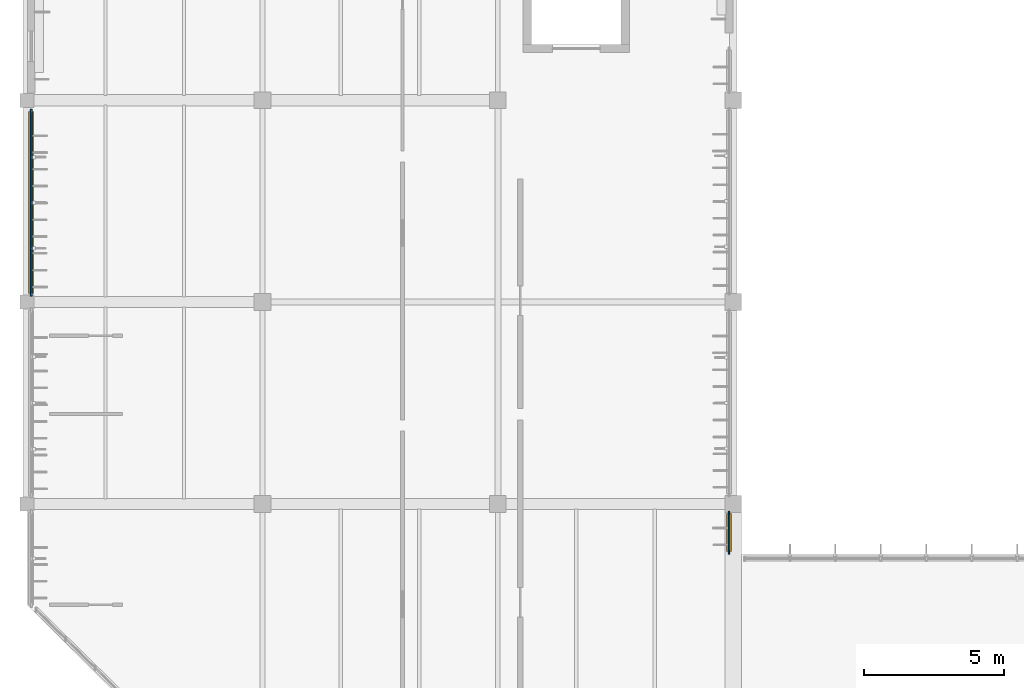
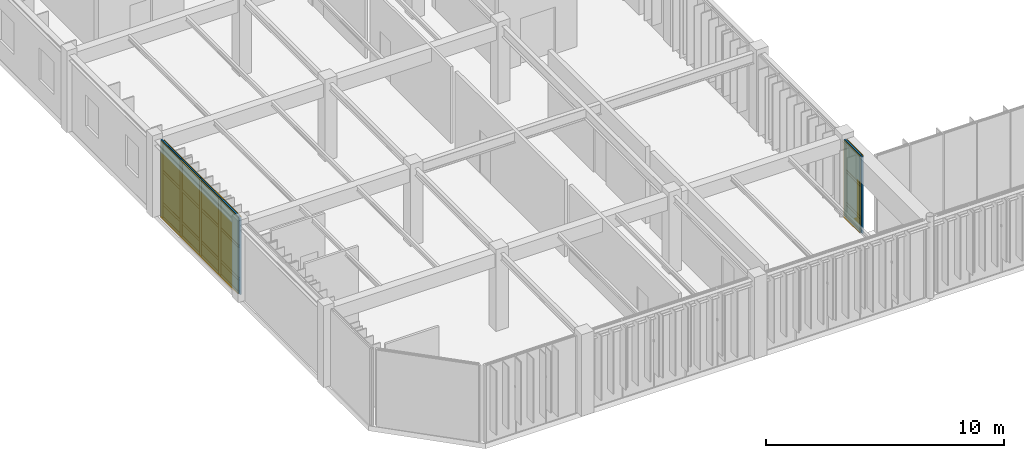
# One storey, part 71 of 122: 27 members, 15 plates, 2 curtain walls.
"""IFC4 building model written with IfcOpenShell, lengths in metres."""

from ifc_helpers import new_model, si_unit, direction, frame, frame_2d, origin, origin_2d, place, context, subcontext, project, spatial, rectangle, extrude, material, layer, layer_set, material_profile, profile_set, type_object, element, aggregate, save


model = new_model("IFC4")

# Units and contexts
model_context = context("Model", 3, precision=1e-05, world=origin(), true_north=direction((0.0, 1.0)))
body_context = subcontext(model_context, "Body", "Model", "MODEL_VIEW")
ifc_project = project(units=[si_unit("LENGTHUNIT", "METRE"), si_unit("AREAUNIT", "SQUARE_METRE"), si_unit("VOLUMEUNIT", "CUBIC_METRE"), si_unit("PLANEANGLEUNIT", "RADIAN"), si_unit("MASSUNIT", "GRAM", prefix="KILO")], contexts=[model_context])

# Member
ifc_material_1 = material(Name="Anodised Bronze Aluminium 6063-T6", Category="aluminium")
ifc_material_profile_1 = material_profile(ifc_material_1, rectangle(XDim=0.06005859375, YDim=0.179931640625, at=origin_2d()), Name="ALU MULLION 60x180")
ifc_profile_set_1 = profile_set([ifc_material_profile_1], Name="Anodised Bronze Aluminium 6063-T6")
member_type_1 = type_object("IfcMemberType", Name="Curtain-Wall Primary Mullion 60x180", PredefinedType="MULLION", material=ifc_profile_set_1)
site_placement = place(None, origin())
building_placement = place(site_placement, origin())
storey_placement = place(building_placement, frame((0.0, 0.0, 4.800048828125)))
member_1_placement = place(storey_placement, frame((2.550048828125, 59.300048828125, 0.0), z_axis=(0.0, 0.0, 1.0), x_axis=(1.0, 0.0, 0.0)))
member_1 = element("IfcMember", 1, at=member_1_placement, type_object=member_type_1, Name="Mullion CWM-01 CW-V6-W1-L01-B3-M01", PredefinedType="MULLION", context=body_context, shape_type="SweptSolid", body=[
    extrude(rectangle(XDim=0.06005859375, YDim=0.179931640625, at=origin_2d()), origin(), (0.0, 0.0, 1.0), 3.93994140625),
])

member_2_placement = place(storey_placement, frame((2.550048828125, 60.925048828125, 0.0), z_axis=(0.0, 0.0, 1.0), x_axis=(1.0, 0.0, 0.0)))
member_2 = element("IfcMember", 2, at=member_2_placement, type_object=member_type_1, Name="Mullion CWM-01 CW-V6-W1-L01-B3-M02", PredefinedType="MULLION", context=body_context, shape_type="SweptSolid", body=[
    extrude(rectangle(XDim=0.06005859375, YDim=0.179931640625, at=origin_2d()), origin(), (0.0, 0.0, 1.0), 3.93994140625),
])

member_3_placement = place(storey_placement, frame((2.550048828125, 62.550048828125, 0.0), z_axis=(0.0, 0.0, 1.0), x_axis=(1.0, 0.0, 0.0)))
member_3 = element("IfcMember", 3, at=member_3_placement, type_object=member_type_1, Name="Mullion CWM-01 CW-V6-W1-L01-B3-M03", PredefinedType="MULLION", context=body_context, shape_type="SweptSolid", body=[
    extrude(rectangle(XDim=0.06005859375, YDim=0.179931640625, at=origin_2d()), origin(), (0.0, 0.0, 1.0), 3.93994140625),
])

member_4_placement = place(storey_placement, frame((2.550048828125, 64.175048828125, 0.0), z_axis=(0.0, 0.0, 1.0), x_axis=(1.0, 0.0, 0.0)))
member_4 = element("IfcMember", 4, at=member_4_placement, type_object=member_type_1, Name="Mullion CWM-01 CW-V6-W1-L01-B3-M04", PredefinedType="MULLION", context=body_context, shape_type="SweptSolid", body=[
    extrude(rectangle(XDim=0.06005859375, YDim=0.179931640625, at=origin_2d()), origin(), (0.0, 0.0, 1.0), 3.93994140625),
])

member_5_placement = place(storey_placement, frame((2.550048828125, 65.800048828125, 0.0), z_axis=(0.0, 0.0, 1.0), x_axis=(1.0, 0.0, 0.0)))
member_5 = element("IfcMember", 5, at=member_5_placement, type_object=member_type_1, Name="Mullion CWM-01 CW-V6-W1-L01-B3-M05", PredefinedType="MULLION", context=body_context, shape_type="SweptSolid", body=[
    extrude(rectangle(XDim=0.06005859375, YDim=0.179931640625, at=origin_2d()), origin(), (0.0, 0.0, 1.0), 3.93994140625),
])

member_6_placement = place(storey_placement, frame((27.449951171875, 50.10009765625, 0.0), z_axis=(0.0, 0.0, 1.0), x_axis=(1.0, 0.0, 0.0)))
member_6 = element("IfcMember", 6, at=member_6_placement, type_object=member_type_1, Name="Mullion CWM-01 CW-V6-E1-L01-B1-M01", PredefinedType="MULLION", context=body_context, shape_type="SweptSolid", body=[
    extrude(rectangle(XDim=0.06005859375, YDim=0.179931640625, at=origin_2d()), origin(), (0.0, 0.0, 1.0), 3.93994140625),
])

member_7_placement = place(storey_placement, frame((27.449951171875, 51.449951171875, 0.0), z_axis=(0.0, 0.0, 1.0), x_axis=(1.0, 0.0, 0.0)))
member_7 = element("IfcMember", 7, at=member_7_placement, type_object=member_type_1, Name="Mullion CWM-01 CW-V6-E1-L01-B1-M02", PredefinedType="MULLION", context=body_context, shape_type="SweptSolid", body=[
    extrude(rectangle(XDim=0.06005859375, YDim=0.179931640625, at=origin_2d()), origin(), (0.0, 0.0, 1.0), 3.93994140625),
])

ifc_material_profile_2 = material_profile(ifc_material_1, rectangle(XDim=0.06005859375, YDim=0.139892578125, at=origin_2d()), Name="ALU TRANSOM 60x140")
ifc_profile_set_2 = profile_set([ifc_material_profile_2], Name="Anodised Bronze Aluminium 6063-T6")
member_type_2 = type_object("IfcMemberType", Name="Curtain-Wall Transom 60x140", PredefinedType="USERDEFINED", material=ifc_profile_set_2)
member_8_placement = place(storey_placement, frame((2.550048828125, 59.3349609375, 0.0400390625), z_axis=(0.0, 1.0, 0.0), x_axis=(-1.0, 0.0, 0.0)))
member_8 = element("IfcMember", 8, at=member_8_placement, type_object=member_type_2, Name="Transom CWT-01 CW-V6-W1-L01-B3-T01.1", ObjectType="TRANSOM", PredefinedType="USERDEFINED", context=body_context, shape_type="SweptSolid", body=[
    extrude(rectangle(XDim=0.06005859375, YDim=0.139892578125, at=origin_2d()), origin(), (0.0, 0.0, 1.0), 1.554931640625),
])

member_9_placement = place(storey_placement, frame((2.550048828125, 59.3349609375, 0.75), z_axis=(0.0, 1.0, 0.0), x_axis=(-1.0, 0.0, 0.0)))
member_9 = element("IfcMember", 9, at=member_9_placement, type_object=member_type_2, Name="Transom CWT-01 CW-V6-W1-L01-B3-T01.2", ObjectType="TRANSOM", PredefinedType="USERDEFINED", context=body_context, shape_type="SweptSolid", body=[
    extrude(rectangle(XDim=0.06005859375, YDim=0.139892578125, at=origin_2d()), origin(), (0.0, 0.0, 1.0), 1.554931640625),
])

member_10_placement = place(storey_placement, frame((2.550048828125, 59.3349609375, 2.40869140625), z_axis=(0.0, 1.0, 0.0), x_axis=(-1.0, 0.0, 0.0)))
member_10 = element("IfcMember", 10, at=member_10_placement, type_object=member_type_2, Name="Transom CWT-01 CW-V6-W1-L01-B3-T01.3", ObjectType="TRANSOM", PredefinedType="USERDEFINED", context=body_context, shape_type="SweptSolid", body=[
    extrude(rectangle(XDim=0.06005859375, YDim=0.139892578125, at=origin_2d()), origin(), (0.0, 0.0, 1.0), 1.554931640625),
])

member_11_placement = place(storey_placement, frame((2.550048828125, 59.3349609375, 3.89990234375), z_axis=(0.0, 1.0, 0.0), x_axis=(-1.0, 0.0, 0.0)))
member_11 = element("IfcMember", 11, at=member_11_placement, type_object=member_type_2, Name="Transom CWT-01 CW-V6-W1-L01-B3-T01.4", ObjectType="TRANSOM", PredefinedType="USERDEFINED", context=body_context, shape_type="SweptSolid", body=[
    extrude(rectangle(XDim=0.06005859375, YDim=0.139892578125, at=origin_2d()), origin(), (0.0, 0.0, 1.0), 1.554931640625),
])

member_12_placement = place(storey_placement, frame((2.550048828125, 60.9599609375, 0.0400390625), z_axis=(0.0, 1.0, 0.0), x_axis=(-1.0, 0.0, 0.0)))
member_12 = element("IfcMember", 12, at=member_12_placement, type_object=member_type_2, Name="Transom CWT-01 CW-V6-W1-L01-B3-T02.1", ObjectType="TRANSOM", PredefinedType="USERDEFINED", context=body_context, shape_type="SweptSolid", body=[
    extrude(rectangle(XDim=0.06005859375, YDim=0.139892578125, at=origin_2d()), origin(), (0.0, 0.0, 1.0), 1.554931640625),
])

member_13_placement = place(storey_placement, frame((2.550048828125, 60.9599609375, 0.75), z_axis=(0.0, 1.0, 0.0), x_axis=(-1.0, 0.0, 0.0)))
member_13 = element("IfcMember", 13, at=member_13_placement, type_object=member_type_2, Name="Transom CWT-01 CW-V6-W1-L01-B3-T02.2", ObjectType="TRANSOM", PredefinedType="USERDEFINED", context=body_context, shape_type="SweptSolid", body=[
    extrude(rectangle(XDim=0.06005859375, YDim=0.139892578125, at=origin_2d()), origin(), (0.0, 0.0, 1.0), 1.554931640625),
])

member_14_placement = place(storey_placement, frame((2.550048828125, 60.9599609375, 2.40869140625), z_axis=(0.0, 1.0, 0.0), x_axis=(-1.0, 0.0, 0.0)))
member_14 = element("IfcMember", 14, at=member_14_placement, type_object=member_type_2, Name="Transom CWT-01 CW-V6-W1-L01-B3-T02.3", ObjectType="TRANSOM", PredefinedType="USERDEFINED", context=body_context, shape_type="SweptSolid", body=[
    extrude(rectangle(XDim=0.06005859375, YDim=0.139892578125, at=origin_2d()), origin(), (0.0, 0.0, 1.0), 1.554931640625),
])

member_15_placement = place(storey_placement, frame((2.550048828125, 60.9599609375, 3.89990234375), z_axis=(0.0, 1.0, 0.0), x_axis=(-1.0, 0.0, 0.0)))
member_15 = element("IfcMember", 15, at=member_15_placement, type_object=member_type_2, Name="Transom CWT-01 CW-V6-W1-L01-B3-T02.4", ObjectType="TRANSOM", PredefinedType="USERDEFINED", context=body_context, shape_type="SweptSolid", body=[
    extrude(rectangle(XDim=0.06005859375, YDim=0.139892578125, at=origin_2d()), origin(), (0.0, 0.0, 1.0), 1.554931640625),
])

member_16_placement = place(storey_placement, frame((2.550048828125, 62.5849609375, 0.0400390625), z_axis=(0.0, 1.0, 0.0), x_axis=(-1.0, 0.0, 0.0)))
member_16 = element("IfcMember", 16, at=member_16_placement, type_object=member_type_2, Name="Transom CWT-01 CW-V6-W1-L01-B3-T03.1", ObjectType="TRANSOM", PredefinedType="USERDEFINED", context=body_context, shape_type="SweptSolid", body=[
    extrude(rectangle(XDim=0.06005859375, YDim=0.139892578125, at=origin_2d()), origin(), (0.0, 0.0, 1.0), 1.554931640625),
])

member_17_placement = place(storey_placement, frame((2.550048828125, 62.5849609375, 0.75), z_axis=(0.0, 1.0, 0.0), x_axis=(-1.0, 0.0, 0.0)))
member_17 = element("IfcMember", 17, at=member_17_placement, type_object=member_type_2, Name="Transom CWT-01 CW-V6-W1-L01-B3-T03.2", ObjectType="TRANSOM", PredefinedType="USERDEFINED", context=body_context, shape_type="SweptSolid", body=[
    extrude(rectangle(XDim=0.06005859375, YDim=0.139892578125, at=origin_2d()), origin(), (0.0, 0.0, 1.0), 1.554931640625),
])

member_18_placement = place(storey_placement, frame((2.550048828125, 62.5849609375, 2.40869140625), z_axis=(0.0, 1.0, 0.0), x_axis=(-1.0, 0.0, 0.0)))
member_18 = element("IfcMember", 18, at=member_18_placement, type_object=member_type_2, Name="Transom CWT-01 CW-V6-W1-L01-B3-T03.3", ObjectType="TRANSOM", PredefinedType="USERDEFINED", context=body_context, shape_type="SweptSolid", body=[
    extrude(rectangle(XDim=0.06005859375, YDim=0.139892578125, at=origin_2d()), origin(), (0.0, 0.0, 1.0), 1.554931640625),
])

member_19_placement = place(storey_placement, frame((2.550048828125, 62.5849609375, 3.89990234375), z_axis=(0.0, 1.0, 0.0), x_axis=(-1.0, 0.0, 0.0)))
member_19 = element("IfcMember", 19, at=member_19_placement, type_object=member_type_2, Name="Transom CWT-01 CW-V6-W1-L01-B3-T03.4", ObjectType="TRANSOM", PredefinedType="USERDEFINED", context=body_context, shape_type="SweptSolid", body=[
    extrude(rectangle(XDim=0.06005859375, YDim=0.139892578125, at=origin_2d()), origin(), (0.0, 0.0, 1.0), 1.554931640625),
])

member_20_placement = place(storey_placement, frame((2.550048828125, 64.2099609375, 0.0400390625), z_axis=(0.0, 1.0, 0.0), x_axis=(-1.0, 0.0, 0.0)))
member_20 = element("IfcMember", 20, at=member_20_placement, type_object=member_type_2, Name="Transom CWT-01 CW-V6-W1-L01-B3-T04.1", ObjectType="TRANSOM", PredefinedType="USERDEFINED", context=body_context, shape_type="SweptSolid", body=[
    extrude(rectangle(XDim=0.06005859375, YDim=0.139892578125, at=origin_2d()), origin(), (0.0, 0.0, 1.0), 1.554931640625),
])

member_21_placement = place(storey_placement, frame((2.550048828125, 64.2099609375, 0.75), z_axis=(0.0, 1.0, 0.0), x_axis=(-1.0, 0.0, 0.0)))
member_21 = element("IfcMember", 21, at=member_21_placement, type_object=member_type_2, Name="Transom CWT-01 CW-V6-W1-L01-B3-T04.2", ObjectType="TRANSOM", PredefinedType="USERDEFINED", context=body_context, shape_type="SweptSolid", body=[
    extrude(rectangle(XDim=0.06005859375, YDim=0.139892578125, at=origin_2d()), origin(), (0.0, 0.0, 1.0), 1.554931640625),
])

member_22_placement = place(storey_placement, frame((2.550048828125, 64.2099609375, 2.40869140625), z_axis=(0.0, 1.0, 0.0), x_axis=(-1.0, 0.0, 0.0)))
member_22 = element("IfcMember", 22, at=member_22_placement, type_object=member_type_2, Name="Transom CWT-01 CW-V6-W1-L01-B3-T04.3", ObjectType="TRANSOM", PredefinedType="USERDEFINED", context=body_context, shape_type="SweptSolid", body=[
    extrude(rectangle(XDim=0.06005859375, YDim=0.139892578125, at=origin_2d()), origin(), (0.0, 0.0, 1.0), 1.554931640625),
])

member_23_placement = place(storey_placement, frame((2.550048828125, 64.2099609375, 3.89990234375), z_axis=(0.0, 1.0, 0.0), x_axis=(-1.0, 0.0, 0.0)))
member_23 = element("IfcMember", 23, at=member_23_placement, type_object=member_type_2, Name="Transom CWT-01 CW-V6-W1-L01-B3-T04.4", ObjectType="TRANSOM", PredefinedType="USERDEFINED", context=body_context, shape_type="SweptSolid", body=[
    extrude(rectangle(XDim=0.06005859375, YDim=0.139892578125, at=origin_2d()), origin(), (0.0, 0.0, 1.0), 1.554931640625),
])

member_24_placement = place(storey_placement, frame((27.449951171875, 50.135009765625, 0.0400390625), z_axis=(0.0, 1.0, 0.0), x_axis=(-1.0, 0.0, 0.0)))
member_24 = element("IfcMember", 24, at=member_24_placement, type_object=member_type_2, Name="Transom CWT-01 CW-V6-E1-L01-B1-T01.1", ObjectType="TRANSOM", PredefinedType="USERDEFINED", context=body_context, shape_type="SweptSolid", body=[
    extrude(rectangle(XDim=0.06005859375, YDim=0.139892578125, at=origin_2d()), origin(), (0.0, 0.0, 1.0), 1.280029296875),
])

member_25_placement = place(storey_placement, frame((27.449951171875, 50.135009765625, 0.75), z_axis=(0.0, 1.0, 0.0), x_axis=(-1.0, 0.0, 0.0)))
member_25 = element("IfcMember", 25, at=member_25_placement, type_object=member_type_2, Name="Transom CWT-01 CW-V6-E1-L01-B1-T01.2", ObjectType="TRANSOM", PredefinedType="USERDEFINED", context=body_context, shape_type="SweptSolid", body=[
    extrude(rectangle(XDim=0.06005859375, YDim=0.139892578125, at=origin_2d()), origin(), (0.0, 0.0, 1.0), 1.280029296875),
])

member_26_placement = place(storey_placement, frame((27.449951171875, 50.135009765625, 2.40869140625), z_axis=(0.0, 1.0, 0.0), x_axis=(-1.0, 0.0, 0.0)))
member_26 = element("IfcMember", 26, at=member_26_placement, type_object=member_type_2, Name="Transom CWT-01 CW-V6-E1-L01-B1-T01.3", ObjectType="TRANSOM", PredefinedType="USERDEFINED", context=body_context, shape_type="SweptSolid", body=[
    extrude(rectangle(XDim=0.06005859375, YDim=0.139892578125, at=origin_2d()), origin(), (0.0, 0.0, 1.0), 1.280029296875),
])

member_27_placement = place(storey_placement, frame((27.449951171875, 50.135009765625, 3.89990234375), z_axis=(0.0, 1.0, 0.0), x_axis=(-1.0, 0.0, 0.0)))
member_27 = element("IfcMember", 27, at=member_27_placement, type_object=member_type_2, Name="Transom CWT-01 CW-V6-E1-L01-B1-T01.4", ObjectType="TRANSOM", PredefinedType="USERDEFINED", context=body_context, shape_type="SweptSolid", body=[
    extrude(rectangle(XDim=0.06005859375, YDim=0.139892578125, at=origin_2d()), origin(), (0.0, 0.0, 1.0), 1.280029296875),
])

# Plate
ifc_material_2 = material(Name="Insulated Bronze Aluminium Spandrel Panel", Category="aluminium")
ifc_layer_1 = layer(ifc_material_2, 0.050048828125, Name="Insulated Bronze Aluminium Spandrel Panel")
ifc_layer_set_1 = layer_set([ifc_layer_1], Name="Insulated Bronze Aluminium Spandrel Panel")
plate_type_1 = type_object("IfcPlateType", Name="Insulated Anodised Aluminium Spandrel Cassette 50", PredefinedType="CURTAIN_PANEL", material=ifc_layer_set_1)
plate_1_placement = place(storey_placement, frame((2.550048828125, 60.112548828125, 0.070068359375), z_axis=(0.0, 0.0, 1.0), x_axis=(0.0, 1.0, 0.0)))
plate_1 = element("IfcPlate", 28, at=plate_1_placement, type_object=plate_type_1, Name="Curtain Panel CWP-03 CW-V6-W1-L01-B3-P01.1", PredefinedType="CURTAIN_PANEL", context=body_context, shape_type="SweptSolid", body=[
    extrude(rectangle(XDim=1.554931640625, YDim=0.050048828125, at=origin_2d()), origin(), (0.0, 0.0, 1.0), 0.64990234375),
])

plate_2_placement = place(storey_placement, frame((2.550048828125, 61.737548828125, 0.070068359375), z_axis=(0.0, 0.0, 1.0), x_axis=(0.0, 1.0, 0.0)))
plate_2 = element("IfcPlate", 29, at=plate_2_placement, type_object=plate_type_1, Name="Curtain Panel CWP-03 CW-V6-W1-L01-B3-P02.1", PredefinedType="CURTAIN_PANEL", context=body_context, shape_type="SweptSolid", body=[
    extrude(rectangle(XDim=1.554931640625, YDim=0.050048828125, at=origin_2d()), origin(), (0.0, 0.0, 1.0), 0.64990234375),
])

plate_3_placement = place(storey_placement, frame((2.550048828125, 63.362548828125, 0.070068359375), z_axis=(0.0, 0.0, 1.0), x_axis=(0.0, 1.0, 0.0)))
plate_3 = element("IfcPlate", 30, at=plate_3_placement, type_object=plate_type_1, Name="Curtain Panel CWP-03 CW-V6-W1-L01-B3-P03.1", PredefinedType="CURTAIN_PANEL", context=body_context, shape_type="SweptSolid", body=[
    extrude(rectangle(XDim=1.554931640625, YDim=0.050048828125, at=origin_2d()), origin(), (0.0, 0.0, 1.0), 0.64990234375),
])

plate_4_placement = place(storey_placement, frame((2.550048828125, 64.987548828125, 0.070068359375), z_axis=(0.0, 0.0, 1.0), x_axis=(0.0, 1.0, 0.0)))
plate_4 = element("IfcPlate", 31, at=plate_4_placement, type_object=plate_type_1, Name="Curtain Panel CWP-03 CW-V6-W1-L01-B3-P04.1", PredefinedType="CURTAIN_PANEL", context=body_context, shape_type="SweptSolid", body=[
    extrude(rectangle(XDim=1.554931640625, YDim=0.050048828125, at=origin_2d()), origin(), (0.0, 0.0, 1.0), 0.64990234375),
])

plate_5_placement = place(storey_placement, frame((27.449951171875, 50.77490234375, 0.070068359375), z_axis=(0.0, 0.0, 1.0), x_axis=(0.0, 1.0, 0.0)))
plate_5 = element("IfcPlate", 32, at=plate_5_placement, type_object=plate_type_1, Name="Curtain Panel CWP-03 CW-V6-E1-L01-B1-P01.1", PredefinedType="CURTAIN_PANEL", context=body_context, shape_type="SweptSolid", body=[
    extrude(rectangle(XDim=1.280029296875, YDim=0.050048828125, at=origin_2d()), origin(), (0.0, 0.0, 1.0), 0.64990234375),
])

ifc_material_3 = material(Name="Solar-Control Tempered Double Glazing", Category="glass")
ifc_layer_2 = layer(ifc_material_3, 0.0380859375, Name="Solar-Control Tempered Double Glazing")
ifc_layer_set_2 = layer_set([ifc_layer_2], Name="Solar-Control Tempered Double Glazing")
plate_type_2 = type_object("IfcPlateType", Name="Solar-Control Vision Glazing Unit 38", PredefinedType="CURTAIN_PANEL", material=ifc_layer_set_2)
plate_6_placement = place(storey_placement, frame((2.550048828125, 60.112548828125, 0.77978515625), z_axis=(0.0, 0.0, 1.0), x_axis=(0.0, 1.0, 0.0)))
plate_6 = element("IfcPlate", 33, at=plate_6_placement, type_object=plate_type_2, Name="Curtain Panel CWP-02 CW-V6-W1-L01-B3-P01.2", PredefinedType="CURTAIN_PANEL", context=body_context, shape_type="SweptSolid", body=[
    extrude(rectangle(XDim=1.554931640625, YDim=0.0380859375, at=origin_2d()), origin(), (0.0, 0.0, 1.0), 1.598876953125),
])

plate_7_placement = place(storey_placement, frame((2.550048828125, 60.112548828125, 2.438720703125), z_axis=(0.0, 0.0, 1.0), x_axis=(0.0, 1.0, 0.0)))
plate_7 = element("IfcPlate", 34, at=plate_7_placement, type_object=plate_type_2, Name="Curtain Panel CWP-02 CW-V6-W1-L01-B3-P01.3", PredefinedType="CURTAIN_PANEL", context=body_context, shape_type="SweptSolid", body=[
    extrude(rectangle(XDim=1.554931640625, YDim=0.0380859375, at=origin_2d()), origin(), (0.0, 0.0, 1.0), 1.43115234375),
])

plate_8_placement = place(storey_placement, frame((2.550048828125, 61.737548828125, 0.77978515625), z_axis=(0.0, 0.0, 1.0), x_axis=(0.0, 1.0, 0.0)))
plate_8 = element("IfcPlate", 35, at=plate_8_placement, type_object=plate_type_2, Name="Curtain Panel CWP-02 CW-V6-W1-L01-B3-P02.2", PredefinedType="CURTAIN_PANEL", context=body_context, shape_type="SweptSolid", body=[
    extrude(rectangle(XDim=1.554931640625, YDim=0.0380859375, at=origin_2d()), origin(), (0.0, 0.0, 1.0), 1.598876953125),
])

plate_9_placement = place(storey_placement, frame((2.550048828125, 61.737548828125, 2.438720703125), z_axis=(0.0, 0.0, 1.0), x_axis=(0.0, 1.0, 0.0)))
plate_9 = element("IfcPlate", 36, at=plate_9_placement, type_object=plate_type_2, Name="Curtain Panel CWP-02 CW-V6-W1-L01-B3-P02.3", PredefinedType="CURTAIN_PANEL", context=body_context, shape_type="SweptSolid", body=[
    extrude(rectangle(XDim=1.554931640625, YDim=0.0380859375, at=origin_2d()), origin(), (0.0, 0.0, 1.0), 1.43115234375),
])

plate_10_placement = place(storey_placement, frame((2.550048828125, 63.362548828125, 0.77978515625), z_axis=(0.0, 0.0, 1.0), x_axis=(0.0, 1.0, 0.0)))
plate_10 = element("IfcPlate", 37, at=plate_10_placement, type_object=plate_type_2, Name="Curtain Panel CWP-02 CW-V6-W1-L01-B3-P03.2", PredefinedType="CURTAIN_PANEL", context=body_context, shape_type="SweptSolid", body=[
    extrude(rectangle(XDim=1.554931640625, YDim=0.0380859375, at=origin_2d()), origin(), (0.0, 0.0, 1.0), 1.598876953125),
])

plate_11_placement = place(storey_placement, frame((2.550048828125, 63.362548828125, 2.438720703125), z_axis=(0.0, 0.0, 1.0), x_axis=(0.0, 1.0, 0.0)))
plate_11 = element("IfcPlate", 38, at=plate_11_placement, type_object=plate_type_2, Name="Curtain Panel CWP-02 CW-V6-W1-L01-B3-P03.3", PredefinedType="CURTAIN_PANEL", context=body_context, shape_type="SweptSolid", body=[
    extrude(rectangle(XDim=1.554931640625, YDim=0.0380859375, at=origin_2d()), origin(), (0.0, 0.0, 1.0), 1.43115234375),
])

plate_12_placement = place(storey_placement, frame((2.550048828125, 64.987548828125, 0.77978515625), z_axis=(0.0, 0.0, 1.0), x_axis=(0.0, 1.0, 0.0)))
plate_12 = element("IfcPlate", 39, at=plate_12_placement, type_object=plate_type_2, Name="Curtain Panel CWP-02 CW-V6-W1-L01-B3-P04.2", PredefinedType="CURTAIN_PANEL", context=body_context, shape_type="SweptSolid", body=[
    extrude(rectangle(XDim=1.554931640625, YDim=0.0380859375, at=origin_2d()), origin(), (0.0, 0.0, 1.0), 1.598876953125),
])

plate_13_placement = place(storey_placement, frame((2.550048828125, 64.987548828125, 2.438720703125), z_axis=(0.0, 0.0, 1.0), x_axis=(0.0, 1.0, 0.0)))
plate_13 = element("IfcPlate", 40, at=plate_13_placement, type_object=plate_type_2, Name="Curtain Panel CWP-02 CW-V6-W1-L01-B3-P04.3", PredefinedType="CURTAIN_PANEL", context=body_context, shape_type="SweptSolid", body=[
    extrude(rectangle(XDim=1.554931640625, YDim=0.0380859375, at=origin_2d()), origin(), (0.0, 0.0, 1.0), 1.43115234375),
])

plate_14_placement = place(storey_placement, frame((27.449951171875, 50.77490234375, 0.77978515625), z_axis=(0.0, 0.0, 1.0), x_axis=(0.0, 1.0, 0.0)))
plate_14 = element("IfcPlate", 41, at=plate_14_placement, type_object=plate_type_2, Name="Curtain Panel CWP-02 CW-V6-E1-L01-B1-P01.2", PredefinedType="CURTAIN_PANEL", context=body_context, shape_type="SweptSolid", body=[
    extrude(rectangle(XDim=1.280029296875, YDim=0.0380859375, at=origin_2d()), origin(), (0.0, 0.0, 1.0), 1.598876953125),
])

plate_15_placement = place(storey_placement, frame((27.449951171875, 50.77490234375, 2.438720703125), z_axis=(0.0, 0.0, 1.0), x_axis=(0.0, 1.0, 0.0)))
plate_15 = element("IfcPlate", 42, at=plate_15_placement, type_object=plate_type_2, Name="Curtain Panel CWP-02 CW-V6-E1-L01-B1-P01.3", PredefinedType="CURTAIN_PANEL", context=body_context, shape_type="SweptSolid", body=[
    extrude(rectangle(XDim=1.280029296875, YDim=0.0380859375, at=origin_2d()), origin(), (0.0, 0.0, 1.0), 1.43115234375),
])

# Site, building, storey
site = spatial("IfcSite", under=ifc_project, at=site_placement, CompositionType="ELEMENT")
building = spatial("IfcBuilding", under=site, at=building_placement, Name="Tazoul Stagehouse", CompositionType="ELEMENT")
storey = spatial("IfcBuildingStorey", under=building, at=storey_placement, Name="L01", CompositionType="ELEMENT", Elevation=4.800048828125)

# Curtain wall
curtain_wall_type = type_object("IfcCurtainWallType", Name="Foyer Clear Solar-Control Curtain Wall", PredefinedType="NOTDEFINED", material=ifc_material_1)
curtain_wall_1_placement = place(storey_placement, frame((2.550048828125, 59.300048828125, 0.0), z_axis=(0.0, 0.0, 1.0), x_axis=(0.0, 1.0, 0.0)))
curtain_wall_1 = element("IfcCurtainWall", 43, at=curtain_wall_1_placement, inside=storey, type_object=curtain_wall_type, Name="L01 Curtain Wall CW-02 (CW-V6-W1-L01-B3)", PredefinedType="NOTDEFINED", context=body_context, shape_type="SweptSolid", body=[
    extrude(rectangle(XDim=6.5, YDim=0.179931640625, at=frame_2d((3.25, 0.0))), origin(), (0.0, 0.0, 1.0), 3.93994140625),
])

aggregate(curtain_wall_1, [member_1, member_2, member_3, member_4, member_5, member_8, member_9, member_10, member_11, plate_1, plate_6, plate_7, member_12, member_13, member_14, member_15, plate_2, plate_8, plate_9, member_16, member_17, member_18, member_19, plate_3, plate_10, plate_11, member_20, member_21, member_22, member_23, plate_4, plate_12, plate_13])

curtain_wall_2_placement = place(storey_placement, frame((27.449951171875, 50.10009765625, 0.0), z_axis=(0.0, 0.0, 1.0), x_axis=(0.0, 1.0, 0.0)))
curtain_wall_2 = element("IfcCurtainWall", 44, at=curtain_wall_2_placement, inside=storey, type_object=curtain_wall_type, Name="L01 Curtain Wall CW-02 (CW-V6-E1-L01-B1)", PredefinedType="NOTDEFINED", context=body_context, shape_type="SweptSolid", body=[
    extrude(rectangle(XDim=1.349853515625, YDim=0.179931640625, at=frame_2d((0.6748046875, 0.0))), origin(), (0.0, 0.0, 1.0), 3.93994140625),
])

aggregate(curtain_wall_2, [member_6, member_7, member_24, member_25, member_26, member_27, plate_5, plate_14, plate_15])

save(model, "model.ifc")
